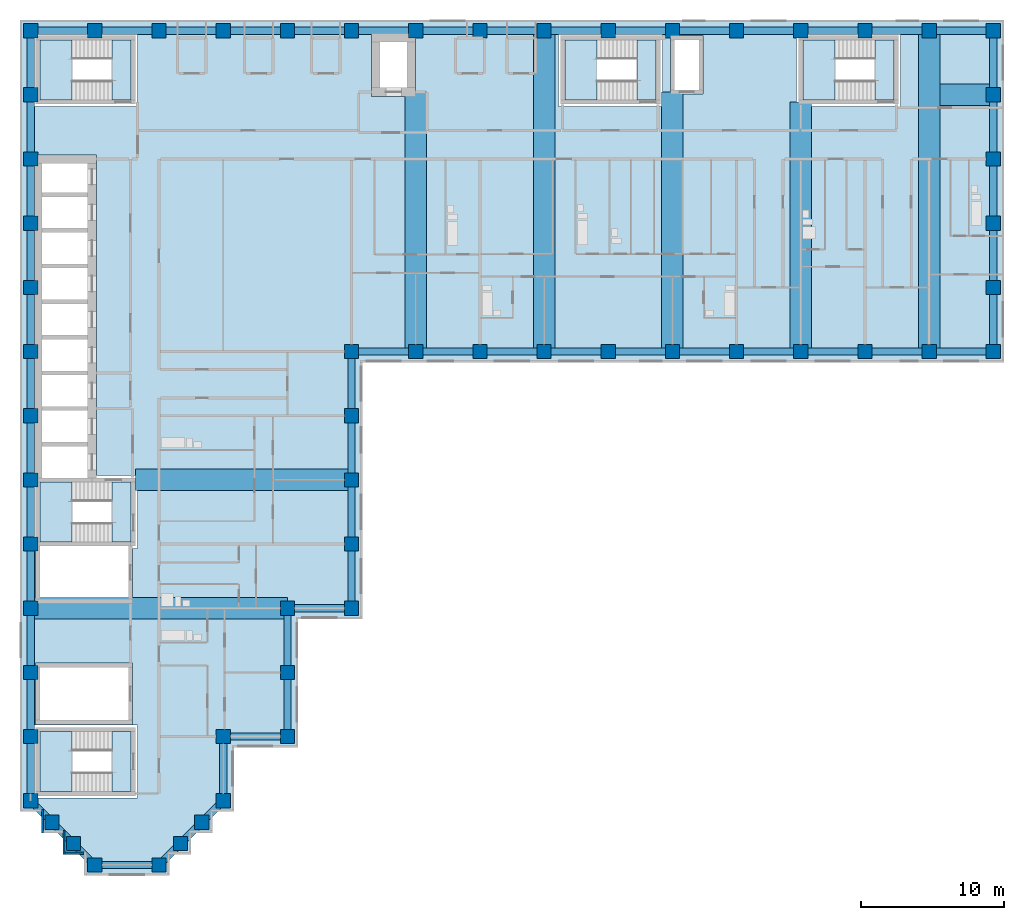
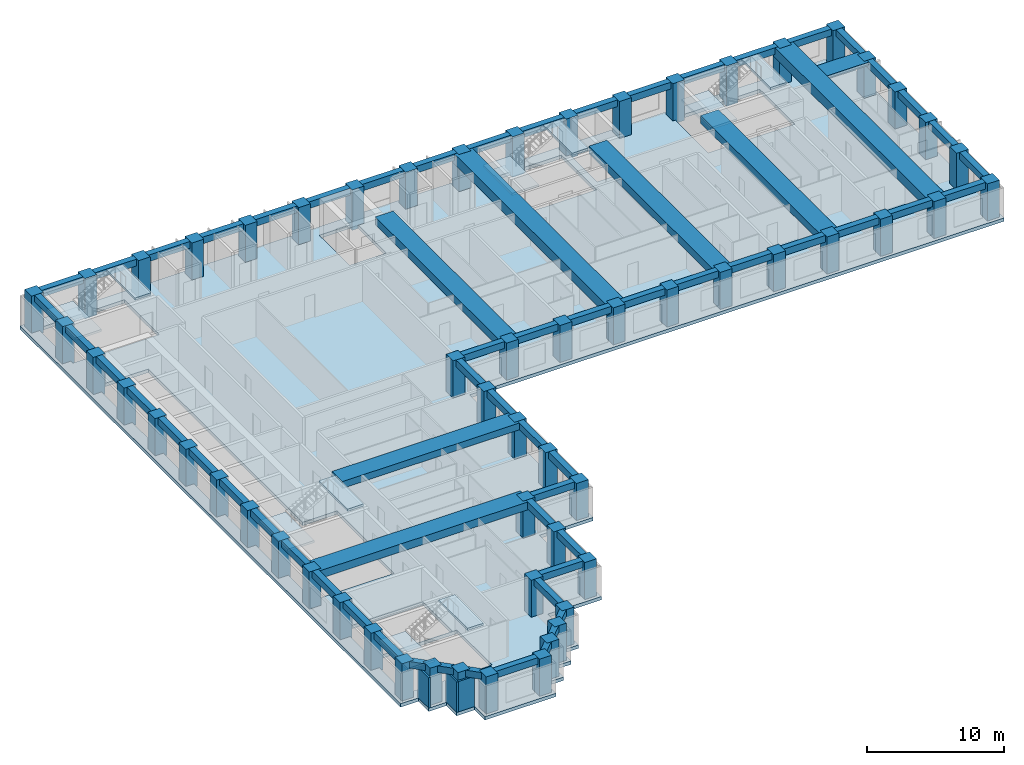
# One storey, part 1 of 12: 66 beams, 58 columns, 11 slabs, 3 walls, 5 elements without a shape of their own.
"""IFC4 building model written with IfcOpenShell, lengths in metres."""

from ifc_helpers import new_model, si_unit, direction, frame, frame_2d, origin, origin_2d, place, context, subcontext, project, spatial, polyline, rectangle, outline, extrude, material, layer, layer_set, material_profile, profile_set, type_object, element, aggregate, save


model = new_model("IFC4")

# Units and contexts
model_context = context("Model", 3, precision=1e-05, world=origin(), true_north=direction((0.0, 1.0)))
body_context = subcontext(model_context, "Body", "Model", "MODEL_VIEW")
ifc_project = project(units=[si_unit("LENGTHUNIT", "METRE"), si_unit("AREAUNIT", "SQUARE_METRE"), si_unit("VOLUMEUNIT", "CUBIC_METRE"), si_unit("PLANEANGLEUNIT", "RADIAN"), si_unit("MASSUNIT", "GRAM", prefix="KILO")], contexts=[model_context])

# Site, building, storey
site_placement = place(None, origin())
site = spatial("IfcSite", under=ifc_project, at=site_placement, CompositionType="ELEMENT")
building_placement = place(site_placement, origin())
building = spatial("IfcBuilding", under=site, at=building_placement, Name="Firuza Court", CompositionType="ELEMENT")
storey_placement = place(building_placement, frame((0.0, 0.0, 126.800048828125)))
storey = spatial("IfcBuildingStorey", under=building, at=storey_placement, Name="L31", CompositionType="ELEMENT", Elevation=126.800048828125)

# Columns
ifc_material_1 = material(Name="Concrete C60/75", Category="concrete")
ifc_material_profile_1 = material_profile(ifc_material_1, rectangle(XDim=1.0, YDim=1.0, at=origin_2d()), Name="RC 1000x1000")
ifc_profile_set_1 = profile_set([ifc_material_profile_1], Name="Concrete C60/75")
column_type = type_object("IfcColumnType", Name="Tube column RC 1000x1000 C60/75", PredefinedType="COLUMN", material=ifc_profile_set_1)
for number, where, z_axis, x_axis, name in (
    (1, (4.5, 0.0, -0.300048828125), (0.0, 0.0, 1.0), (1.0, 0.0, 0.0), "Column C-2D L31"),
    (2, (9.0, 0.0, -0.300048828125), (0.0, 0.0, 1.0), (1.0, 0.0, 0.0), "Column C-3D L31"),
    (3, (3.0, 1.5, -0.300048828125), (0.0, 0.0, 1.0), (1.0, 0.0, 0.0), "Column C-SA1 L31"),
    (4, (10.5, 1.5, -0.300048828125), (0.0, 0.0, 1.0), (1.0, 0.0, 0.0), "Column C-SA2 L31"),
    (5, (1.5, 3.0, -0.300048828125), (0.0, 0.0, 1.0), (1.0, 0.0, 0.0), "Column C-SA3 L31"),
    (6, (12.0, 3.0, -0.300048828125), (0.0, 0.0, 1.0), (1.0, 0.0, 0.0), "Column C-SA4 L31"),
    (7, (0.0, 4.5, -0.300048828125), (0.0, 0.0, 1.0), (1.0, 0.0, 0.0), "Column C-1E L31"),
    (8, (13.5, 4.5, -0.300048828125), (0.0, 0.0, 1.0), (1.0, 0.0, 0.0), "Column C-4E L31"),
    (9, (0.0, 9.0, -0.300048828125), (0.0, 0.0, 1.0), (1.0, 0.0, 0.0), "Column C-1F L31"),
    (10, (13.5, 9.0, -0.300048828125), (0.0, 0.0, 1.0), (1.0, 0.0, 0.0), "Column C-4F L31"),
    (11, (18.0, 9.0, -0.300048828125), (0.0, 0.0, 1.0), (1.0, 0.0, 0.0), "Column C-5F L31"),
    (12, (0.0, 13.5, -0.300048828125), (0.0, 0.0, 1.0), (1.0, 0.0, 0.0), "Column C-1G L31"),
    (13, (18.0, 13.5, -0.300048828125), (0.0, 0.0, 1.0), (1.0, 0.0, 0.0), "Column C-5G L31"),
    (14, (0.0, 18.0, -0.300048828125), (0.0, 0.0, 1.0), (1.0, 0.0, 0.0), "Column C-1H L31"),
    (15, (18.0, 18.0, -0.300048828125), (0.0, 0.0, 1.0), (1.0, 0.0, 0.0), "Column C-5H L31"),
    (16, (22.5, 18.0, -0.300048828125), (0.0, 0.0, 1.0), (1.0, 0.0, 0.0), "Column C-6H L31"),
    (17, (0.0, 22.5, -0.300048828125), (0.0, 0.0, 1.0), (1.0, 0.0, 0.0), "Column C-1J L31"),
    (18, (22.5, 22.5, -0.300048828125), (0.0, 0.0, 1.0), (1.0, 0.0, 0.0), "Column C-6J L31"),
    (19, (0.0, 27.0, -0.300048828125), (0.0, 0.0, 1.0), (1.0, 0.0, 0.0), "Column C-1K L31"),
    (20, (22.5, 27.0, -0.300048828125), (0.0, 0.0, 1.0), (1.0, 0.0, 0.0), "Column C-6K L31"),
    (21, (0.0, 31.5, -0.300048828125), (0.0, 0.0, 1.0), (1.0, 0.0, 0.0), "Column C-1L L31"),
    (22, (22.5, 31.5, -0.300048828125), (0.0, 0.0, 1.0), (1.0, 0.0, 0.0), "Column C-6L L31"),
    (23, (0.0, 36.0, -0.300048828125), (0.0, 0.0, 1.0), (1.0, 0.0, 0.0), "Column C-1M L31"),
    (24, (22.5, 36.0, -0.300048828125), (0.0, 0.0, 1.0), (1.0, 0.0, 0.0), "Column C-6M L31"),
    (25, (27.0, 36.0, -0.300048828125), (0.0, 0.0, 1.0), (1.0, 0.0, 0.0), "Column C-7M L31"),
    (26, (31.5, 36.0, -0.300048828125), (0.0, 0.0, 1.0), (1.0, 0.0, 0.0), "Column C-8M L31"),
    (27, (36.0, 36.0, -0.300048828125), (0.0, 0.0, 1.0), (1.0, 0.0, 0.0), "Column C-9M L31"),
    (28, (40.5, 36.0, -0.300048828125), (0.0, 0.0, 1.0), (1.0, 0.0, 0.0), "Column C-10M L31"),
    (29, (45.0, 36.0, -0.300048828125), (0.0, 0.0, 1.0), (1.0, 0.0, 0.0), "Column C-11M L31"),
    (30, (49.5, 36.0, -0.300048828125), (0.0, 0.0, 1.0), (1.0, 0.0, 0.0), "Column C-12M L31"),
    (31, (54.0, 36.0, -0.300048828125), (0.0, 0.0, 1.0), (1.0, 0.0, 0.0), "Column C-13M L31"),
    (32, (58.5, 36.0, -0.300048828125), (0.0, 0.0, 1.0), (1.0, 0.0, 0.0), "Column C-14M L31"),
    (33, (63.0, 36.0, -0.300048828125), (0.0, 0.0, 1.0), (1.0, 0.0, 0.0), "Column C-15M L31"),
    (34, (67.5, 36.0, -0.300048828125), (0.0, 0.0, 1.0), (1.0, 0.0, 0.0), "Column C-16M L31"),
    (35, (0.0, 40.5, -0.300048828125), (0.0, 0.0, 1.0), (1.0, 0.0, 0.0), "Column C-1N L31"),
    (36, (67.5, 40.5, -0.300048828125), (0.0, 0.0, 1.0), (1.0, 0.0, 0.0), "Column C-16N L31"),
    (37, (0.0, 45.0, -0.300048828125), (0.0, 0.0, 1.0), (1.0, 0.0, 0.0), "Column C-1P L31"),
    (38, (67.5, 45.0, -0.300048828125), (0.0, 0.0, 1.0), (1.0, 0.0, 0.0), "Column C-16P L31"),
    (39, (0.0, 49.5, -0.300048828125), (0.0, 0.0, 1.0), (1.0, 0.0, 0.0), "Column C-1Q L31"),
    (40, (67.5, 49.5, -0.300048828125), (0.0, 0.0, 1.0), (1.0, 0.0, 0.0), "Column C-16Q L31"),
    (41, (0.0, 54.0, -0.300048828125), (0.0, 0.0, 1.0), (1.0, 0.0, 0.0), "Column C-1R L31"),
    (42, (67.5, 54.0, -0.300048828125), (0.0, 0.0, 1.0), (1.0, 0.0, 0.0), "Column C-16R L31"),
    (43, (0.0, 58.5, -0.300048828125), (0.0, 0.0, 1.0), (1.0, 0.0, 0.0), "Column C-1S L31"),
    (44, (4.5, 58.5, -0.300048828125), (0.0, 0.0, 1.0), (1.0, 0.0, 0.0), "Column C-2S L31"),
    (45, (9.0, 58.5, -0.300048828125), (0.0, 0.0, 1.0), (1.0, 0.0, 0.0), "Column C-3S L31"),
    (46, (13.5, 58.5, -0.300048828125), (0.0, 0.0, 1.0), (1.0, 0.0, 0.0), "Column C-4S L31"),
    (47, (18.0, 58.5, -0.300048828125), (0.0, 0.0, 1.0), (1.0, 0.0, 0.0), "Column C-5S L31"),
    (48, (22.5, 58.5, -0.300048828125), (0.0, 0.0, 1.0), (1.0, 0.0, 0.0), "Column C-6S L31"),
    (49, (27.0, 58.5, -0.300048828125), (0.0, 0.0, 1.0), (1.0, 0.0, 0.0), "Column C-7S L31"),
    (50, (31.5, 58.5, -0.300048828125), (0.0, 0.0, 1.0), (1.0, 0.0, 0.0), "Column C-8S L31"),
    (51, (36.0, 58.5, -0.300048828125), (0.0, 0.0, 1.0), (1.0, 0.0, 0.0), "Column C-9S L31"),
    (52, (40.5, 58.5, -0.300048828125), (0.0, 0.0, 1.0), (1.0, 0.0, 0.0), "Column C-10S L31"),
    (53, (45.0, 58.5, -0.300048828125), (0.0, 0.0, 1.0), (1.0, 0.0, 0.0), "Column C-11S L31"),
    (54, (49.5, 58.5, -0.300048828125), (0.0, 0.0, 1.0), (1.0, 0.0, 0.0), "Column C-12S L31"),
    (55, (54.0, 58.5, -0.300048828125), (0.0, 0.0, 1.0), (1.0, 0.0, 0.0), "Column C-13S L31"),
    (56, (58.5, 58.5, -0.300048828125), (0.0, 0.0, 1.0), (1.0, 0.0, 0.0), "Column C-14S L31"),
    (57, (63.0, 58.5, -0.300048828125), (0.0, 0.0, 1.0), (1.0, 0.0, 0.0), "Column C-15S L31"),
    (58, (67.5, 58.5, -0.300048828125), (0.0, 0.0, 1.0), (1.0, 0.0, 0.0), "Column C-16S L31"),
):
    element("IfcColumn", number, at=place(storey_placement, frame(where, z_axis=z_axis, x_axis=x_axis)), inside=storey, type_object=column_type, Name=name, PredefinedType="COLUMN", context=body_context, shape_type="SweptSolid", body=[
        extrude(rectangle(XDim=1.0, YDim=1.0, at=origin_2d()), origin(), (0.0, 0.0, 1.0), 3.60009765625),
    ])

# Beams
ifc_material_2 = material(Name="Concrete C40/50", Category="concrete")
ifc_material_profile_2 = material_profile(ifc_material_2, rectangle(XDim=1.5, YDim=0.300048828125, at=origin_2d()), Name="RC 1500x300")
ifc_profile_set_2 = profile_set([ifc_material_profile_2], Name="Concrete C40/50")
beam_type_1 = type_object("IfcBeamType", Name="Band beam RC 1500x300 C40/50", PredefinedType="BEAM", material=ifc_profile_set_2)
beam_1_placement = place(storey_placement, frame((67.5, 54.0, 3.14990234375), z_axis=(-1.0, 0.0, 0.0), x_axis=(0.0, -1.0, 0.0)))
element("IfcBeam", 59, at=beam_1_placement, inside=storey, type_object=beam_type_1, Name="Band beam FB6 level L32", PredefinedType="BEAM", context=body_context, shape_type="SweptSolid", body=[
    extrude(rectangle(XDim=1.5, YDim=0.300048828125, at=origin_2d()), origin(), (0.0, 0.0, 1.0), 3.75),
])
ifc_material_3 = material(Name="Concrete C40/50", Category="concrete")
ifc_material_profile_3 = material_profile(ifc_material_3, rectangle(XDim=1.5, YDim=0.60009765625, at=origin_2d()), Name="RC 1500x600")
ifc_profile_set_3 = profile_set([ifc_material_profile_3], Name="Concrete C40/50")
beam_type_2 = type_object("IfcBeamType", Name="Band beam RC 1500x600 C40/50", PredefinedType="BEAM", material=ifc_profile_set_3)
beam_2_placement = place(storey_placement, frame((22.5, 27.0, 3.0), z_axis=(-1.0, 0.0, 0.0), x_axis=(0.0, -1.0, 0.0)))
element("IfcBeam", 60, at=beam_2_placement, inside=storey, type_object=beam_type_2, Name="Band beam FB3 level L32", PredefinedType="BEAM", context=body_context, shape_type="SweptSolid", body=[
    extrude(rectangle(XDim=1.5, YDim=0.60009765625, at=origin_2d()), origin(), (0.0, 0.0, 1.0), 15.14990234375),
])
ifc_material_4 = material(Name="Concrete C40/50", Category="concrete")
ifc_material_profile_4 = material_profile(ifc_material_4, rectangle(XDim=1.5, YDim=0.699951171875, at=origin_2d()), Name="RC 1500x700")
ifc_profile_set_4 = profile_set([ifc_material_profile_4], Name="Concrete C40/50")
beam_type_3 = type_object("IfcBeamType", Name="Band beam RC 1500x700 C40/50", PredefinedType="BEAM", material=ifc_profile_set_4)
beam_3_placement = place(storey_placement, frame((0.0, 18.0, 2.949951171875), z_axis=(1.0, 0.0, 0.0), x_axis=(0.0, 1.0, 0.0)))
element("IfcBeam", 61, at=beam_3_placement, inside=storey, type_object=beam_type_3, Name="Band beam FB1 level L32", PredefinedType="BEAM", context=body_context, shape_type="SweptSolid", body=[
    extrude(rectangle(XDim=1.5, YDim=0.699951171875, at=origin_2d()), origin(), (0.0, 0.0, 1.0), 18.0),
])
for number, where, z_axis, x_axis, name in (
    (62, (27.0, 36.0, 2.949951171875), (0.0, 1.0, 0.0), (-1.0, 0.0, 0.0), "Band beam FB1 level L32"),
    (63, (45.0, 36.0, 2.949951171875), (0.0, 1.0, 0.0), (-1.0, 0.0, 0.0), "Band beam FB1 level L32"),
):
    element("IfcBeam", number, at=place(storey_placement, frame(where, z_axis=z_axis, x_axis=x_axis)), inside=storey, type_object=beam_type_3, Name=name, PredefinedType="BEAM", context=body_context, shape_type="SweptSolid", body=[
        extrude(rectangle(XDim=1.5, YDim=0.699951171875, at=origin_2d()), origin(), (0.0, 0.0, 1.0), 18.199951171875),
    ])
beam_4_placement = place(storey_placement, frame((54.0, 36.0, 2.949951171875), z_axis=(0.0, 1.0, 0.0), x_axis=(-1.0, 0.0, 0.0)))
element("IfcBeam", 64, at=beam_4_placement, inside=storey, type_object=beam_type_3, Name="Band beam FB1 level L32", PredefinedType="BEAM", context=body_context, shape_type="SweptSolid", body=[
    extrude(rectangle(XDim=1.5, YDim=0.699951171875, at=origin_2d()), origin(), (0.0, 0.0, 1.0), 17.5),
])
ifc_material_5 = material(Name="Concrete C40/50", Category="concrete")
ifc_material_profile_5 = material_profile(ifc_material_5, rectangle(XDim=1.5, YDim=0.89990234375, at=origin_2d()), Name="RC 1500x900")
ifc_profile_set_5 = profile_set([ifc_material_profile_5], Name="Concrete C40/50")
beam_type_4 = type_object("IfcBeamType", Name="Band beam RC 1500x900 C40/50", PredefinedType="BEAM", material=ifc_profile_set_5)
for number, where, z_axis, x_axis, name in (
    (65, (36.0, 36.0, 2.849853515625), (0.0, 1.0, 0.0), (-1.0, 0.0, 0.0), "Band beam FB2 level L32"),
    (66, (63.0, 36.0, 2.849853515625), (0.0, 1.0, 0.0), (-1.0, 0.0, 0.0), "Band beam FB2 level L32"),
):
    element("IfcBeam", number, at=place(storey_placement, frame(where, z_axis=z_axis, x_axis=x_axis)), inside=storey, type_object=beam_type_4, Name=name, PredefinedType="BEAM", context=body_context, shape_type="SweptSolid", body=[
        extrude(rectangle(XDim=1.5, YDim=0.89990234375, at=origin_2d()), origin(), (0.0, 0.0, 1.0), 22.5),
    ])
ifc_material_6 = material(Name="Concrete C40/50", Category="concrete")
ifc_material_profile_6 = material_profile(ifc_material_6, rectangle(XDim=0.5, YDim=0.60009765625, at=origin_2d()), Name="RC 500x600")
ifc_profile_set_6 = profile_set([ifc_material_profile_6], Name="Concrete C40/50")
beam_type_5 = type_object("IfcBeamType", Name="Spandrel beam RC 500x600 C40/50", PredefinedType="BEAM", material=ifc_profile_set_6)
beam_5_placement = place(storey_placement, frame((0.0, 4.5, 3.0), z_axis=(0.707106781187, -0.707106781187, 0.0), x_axis=(0.707106781187, 0.707106781187, 0.0)))
element("IfcBeam", 67, at=beam_5_placement, inside=storey, type_object=beam_type_5, Name="Spandrel beam SP13 level L32", PredefinedType="BEAM", context=body_context, shape_type="SweptSolid", body=[
    extrude(rectangle(XDim=0.5, YDim=0.60009765625, at=origin_2d()), origin(), (0.0, 0.0, 1.0), 2.121337890625),
])
for number, where, z_axis, x_axis, name in (
    (68, (0.0, 9.0, 3.0), (0.0, -1.0, 0.0), (1.0, 0.0, 0.0), "Spandrel beam SP13 level L32"),
    (69, (0.0, 13.5, 3.0), (0.0, -1.0, 0.0), (1.0, 0.0, 0.0), "Spandrel beam SP13 level L32"),
    (70, (0.0, 18.0, 3.0), (0.0, -1.0, 0.0), (1.0, 0.0, 0.0), "Spandrel beam SP13 level L32"),
    (71, (0.0, 22.5, 3.0), (0.0, -1.0, 0.0), (1.0, 0.0, 0.0), "Spandrel beam SP13 level L32"),
    (72, (0.0, 27.0, 3.0), (0.0, -1.0, 0.0), (1.0, 0.0, 0.0), "Spandrel beam SP13 level L32"),
    (73, (0.0, 31.5, 3.0), (0.0, -1.0, 0.0), (1.0, 0.0, 0.0), "Spandrel beam SP13 level L32"),
    (74, (0.0, 36.0, 3.0), (0.0, -1.0, 0.0), (1.0, 0.0, 0.0), "Spandrel beam SP13 level L32"),
    (75, (0.0, 40.5, 3.0), (0.0, -1.0, 0.0), (1.0, 0.0, 0.0), "Spandrel beam SP13 level L32"),
    (76, (0.0, 45.0, 3.0), (0.0, -1.0, 0.0), (1.0, 0.0, 0.0), "Spandrel beam SP13 level L32"),
    (77, (0.0, 49.5, 3.0), (0.0, -1.0, 0.0), (1.0, 0.0, 0.0), "Spandrel beam SP13 level L32"),
    (78, (0.0, 54.0, 3.0), (0.0, -1.0, 0.0), (1.0, 0.0, 0.0), "Spandrel beam SP13 level L32"),
    (79, (0.0, 58.5, 3.0), (0.0, -1.0, 0.0), (1.0, 0.0, 0.0), "Spandrel beam SP13 level L32"),
):
    element("IfcBeam", number, at=place(storey_placement, frame(where, z_axis=z_axis, x_axis=x_axis)), inside=storey, type_object=beam_type_5, Name=name, PredefinedType="BEAM", context=body_context, shape_type="SweptSolid", body=[
        extrude(rectangle(XDim=0.5, YDim=0.60009765625, at=origin_2d()), origin(), (0.0, 0.0, 1.0), 4.5),
    ])
for number, where, z_axis, x_axis, name in (
    (80, (1.5, 3.0, 3.0), (0.707106781187, -0.707106781187, 0.0), (0.707106781187, 0.707106781187, 0.0), "Spandrel beam SP13 level L32"),
    (81, (3.0, 1.5, 3.0), (0.707106781187, -0.707106781187, 0.0), (0.707106781187, 0.707106781187, 0.0), "Spandrel beam SP13 level L32"),
):
    element("IfcBeam", number, at=place(storey_placement, frame(where, z_axis=z_axis, x_axis=x_axis)), inside=storey, type_object=beam_type_5, Name=name, PredefinedType="BEAM", context=body_context, shape_type="SweptSolid", body=[
        extrude(rectangle(XDim=0.5, YDim=0.60009765625, at=origin_2d()), origin(), (0.0, 0.0, 1.0), 2.121337890625),
    ])
for number, where, z_axis, x_axis, name in (
    (82, (4.5, 0.0, 3.0), (1.0, 0.0, 0.0), (0.0, 1.0, 0.0), "Spandrel beam SP13 level L32"),
    (83, (4.5, 58.5, 3.0), (-1.0, 0.0, 0.0), (0.0, -1.0, 0.0), "Spandrel beam SP13 level L32"),
):
    element("IfcBeam", number, at=place(storey_placement, frame(where, z_axis=z_axis, x_axis=x_axis)), inside=storey, type_object=beam_type_5, Name=name, PredefinedType="BEAM", context=body_context, shape_type="SweptSolid", body=[
        extrude(rectangle(XDim=0.5, YDim=0.60009765625, at=origin_2d()), origin(), (0.0, 0.0, 1.0), 4.5),
    ])
beam_6_placement = place(storey_placement, frame((9.0, 0.0, 3.0), z_axis=(0.707106781187, 0.707106781187, 0.0), x_axis=(-0.707106781187, 0.707106781187, 0.0)))
element("IfcBeam", 84, at=beam_6_placement, inside=storey, type_object=beam_type_5, Name="Spandrel beam SP13 level L32", PredefinedType="BEAM", context=body_context, shape_type="SweptSolid", body=[
    extrude(rectangle(XDim=0.5, YDim=0.60009765625, at=origin_2d()), origin(), (0.0, 0.0, 1.0), 2.121337890625),
])
beam_7_placement = place(storey_placement, frame((9.0, 58.5, 3.0), z_axis=(-1.0, 0.0, 0.0), x_axis=(0.0, -1.0, 0.0)))
element("IfcBeam", 85, at=beam_7_placement, inside=storey, type_object=beam_type_5, Name="Spandrel beam SP13 level L32", PredefinedType="BEAM", context=body_context, shape_type="SweptSolid", body=[
    extrude(rectangle(XDim=0.5, YDim=0.60009765625, at=origin_2d()), origin(), (0.0, 0.0, 1.0), 4.5),
])
for number, where, z_axis, x_axis, name in (
    (86, (10.5, 1.5, 3.0), (0.707106781187, 0.707106781187, 0.0), (-0.707106781187, 0.707106781187, 0.0), "Spandrel beam SP13 level L32"),
    (87, (12.0, 3.0, 3.0), (0.707106781187, 0.707106781187, 0.0), (-0.707106781187, 0.707106781187, 0.0), "Spandrel beam SP13 level L32"),
):
    element("IfcBeam", number, at=place(storey_placement, frame(where, z_axis=z_axis, x_axis=x_axis)), inside=storey, type_object=beam_type_5, Name=name, PredefinedType="BEAM", context=body_context, shape_type="SweptSolid", body=[
        extrude(rectangle(XDim=0.5, YDim=0.60009765625, at=origin_2d()), origin(), (0.0, 0.0, 1.0), 2.121337890625),
    ])
for number, where, z_axis, x_axis, name in (
    (88, (13.5, 4.5, 3.0), (0.0, 1.0, 0.0), (-1.0, 0.0, 0.0), "Spandrel beam SP13 level L32"),
    (89, (13.5, 9.0, 3.0), (1.0, 0.0, 0.0), (0.0, 1.0, 0.0), "Spandrel beam SP13 level L32"),
    (90, (13.5, 58.5, 3.0), (-1.0, 0.0, 0.0), (0.0, -1.0, 0.0), "Spandrel beam SP13 level L32"),
    (91, (18.0, 9.0, 3.0), (0.0, 1.0, 0.0), (-1.0, 0.0, 0.0), "Spandrel beam SP13 level L32"),
    (92, (18.0, 13.5, 3.0), (0.0, 1.0, 0.0), (-1.0, 0.0, 0.0), "Spandrel beam SP13 level L32"),
    (93, (18.0, 18.0, 3.0), (1.0, 0.0, 0.0), (0.0, 1.0, 0.0), "Spandrel beam SP13 level L32"),
    (94, (18.0, 58.5, 3.0), (-1.0, 0.0, 0.0), (0.0, -1.0, 0.0), "Spandrel beam SP13 level L32"),
    (95, (22.5, 18.0, 3.0), (0.0, 1.0, 0.0), (-1.0, 0.0, 0.0), "Spandrel beam SP13 level L32"),
    (96, (22.5, 22.5, 3.0), (0.0, 1.0, 0.0), (-1.0, 0.0, 0.0), "Spandrel beam SP13 level L32"),
    (97, (22.5, 27.0, 3.0), (0.0, 1.0, 0.0), (-1.0, 0.0, 0.0), "Spandrel beam SP13 level L32"),
    (98, (22.5, 31.5, 3.0), (0.0, 1.0, 0.0), (-1.0, 0.0, 0.0), "Spandrel beam SP13 level L32"),
    (99, (22.5, 36.0, 3.0), (1.0, 0.0, 0.0), (0.0, 1.0, 0.0), "Spandrel beam SP13 level L32"),
    (100, (22.5, 58.5, 3.0), (-1.0, 0.0, 0.0), (0.0, -1.0, 0.0), "Spandrel beam SP13 level L32"),
    (101, (27.0, 36.0, 3.0), (1.0, 0.0, 0.0), (0.0, 1.0, 0.0), "Spandrel beam SP13 level L32"),
    (102, (27.0, 58.5, 3.0), (-1.0, 0.0, 0.0), (0.0, -1.0, 0.0), "Spandrel beam SP13 level L32"),
    (103, (31.5, 36.0, 3.0), (1.0, 0.0, 0.0), (0.0, 1.0, 0.0), "Spandrel beam SP13 level L32"),
    (104, (31.5, 58.5, 3.0), (-1.0, 0.0, 0.0), (0.0, -1.0, 0.0), "Spandrel beam SP13 level L32"),
    (105, (36.0, 36.0, 3.0), (1.0, 0.0, 0.0), (0.0, 1.0, 0.0), "Spandrel beam SP13 level L32"),
    (106, (36.0, 58.5, 3.0), (-1.0, 0.0, 0.0), (0.0, -1.0, 0.0), "Spandrel beam SP13 level L32"),
    (107, (40.5, 36.0, 3.0), (1.0, 0.0, 0.0), (0.0, 1.0, 0.0), "Spandrel beam SP13 level L32"),
    (108, (40.5, 58.5, 3.0), (-1.0, 0.0, 0.0), (0.0, -1.0, 0.0), "Spandrel beam SP13 level L32"),
    (109, (45.0, 36.0, 3.0), (1.0, 0.0, 0.0), (0.0, 1.0, 0.0), "Spandrel beam SP13 level L32"),
    (110, (45.0, 58.5, 3.0), (-1.0, 0.0, 0.0), (0.0, -1.0, 0.0), "Spandrel beam SP13 level L32"),
    (111, (49.5, 36.0, 3.0), (1.0, 0.0, 0.0), (0.0, 1.0, 0.0), "Spandrel beam SP13 level L32"),
    (112, (49.5, 58.5, 3.0), (-1.0, 0.0, 0.0), (0.0, -1.0, 0.0), "Spandrel beam SP13 level L32"),
    (113, (54.0, 36.0, 3.0), (1.0, 0.0, 0.0), (0.0, 1.0, 0.0), "Spandrel beam SP13 level L32"),
    (114, (54.0, 58.5, 3.0), (-1.0, 0.0, 0.0), (0.0, -1.0, 0.0), "Spandrel beam SP13 level L32"),
    (115, (58.5, 36.0, 3.0), (1.0, 0.0, 0.0), (0.0, 1.0, 0.0), "Spandrel beam SP13 level L32"),
    (116, (58.5, 58.5, 3.0), (-1.0, 0.0, 0.0), (0.0, -1.0, 0.0), "Spandrel beam SP13 level L32"),
    (117, (63.0, 36.0, 3.0), (1.0, 0.0, 0.0), (0.0, 1.0, 0.0), "Spandrel beam SP13 level L32"),
    (118, (63.0, 58.5, 3.0), (-1.0, 0.0, 0.0), (0.0, -1.0, 0.0), "Spandrel beam SP13 level L32"),
    (119, (67.5, 36.0, 3.0), (0.0, 1.0, 0.0), (-1.0, 0.0, 0.0), "Spandrel beam SP13 level L32"),
    (120, (67.5, 40.5, 3.0), (0.0, 1.0, 0.0), (-1.0, 0.0, 0.0), "Spandrel beam SP13 level L32"),
    (121, (67.5, 45.0, 3.0), (0.0, 1.0, 0.0), (-1.0, 0.0, 0.0), "Spandrel beam SP13 level L32"),
    (122, (67.5, 49.5, 3.0), (0.0, 1.0, 0.0), (-1.0, 0.0, 0.0), "Spandrel beam SP13 level L32"),
    (123, (67.5, 54.0, 3.0), (0.0, 1.0, 0.0), (-1.0, 0.0, 0.0), "Spandrel beam SP13 level L32"),
    (124, (67.5, 58.5, 3.0), (-1.0, 0.0, 0.0), (0.0, -1.0, 0.0), "Spandrel beam SP13 level L32"),
):
    element("IfcBeam", number, at=place(storey_placement, frame(where, z_axis=z_axis, x_axis=x_axis)), inside=storey, type_object=beam_type_5, Name=name, PredefinedType="BEAM", context=body_context, shape_type="SweptSolid", body=[
        extrude(rectangle(XDim=0.5, YDim=0.60009765625, at=origin_2d()), origin(), (0.0, 0.0, 1.0), 4.5),
    ])

# Slab
ifc_material_7 = material(Name="Concrete C40/50", Category="concrete")
ifc_layer_1 = layer(ifc_material_7, 0.300048828125)
ifc_layer_set_1 = layer_set([ifc_layer_1], Name="Concrete C40/50")
slab_type_1 = type_object("IfcSlabType", Name="Floor slab 300 C40/50", PredefinedType="FLOOR", material=ifc_layer_set_1)
slab_1_placement = place(storey_placement, frame((0.0, 0.0, -0.300048828125)))
element("IfcSlab", 125, at=slab_1_placement, inside=storey, type_object=slab_type_1, Name="Floor slab L31", PredefinedType="FLOOR", context=body_context, shape_type="SweptSolid", body=[
    extrude(outline(polyline([(3.75, -0.75), (3.75, 0.75), (2.25, 0.75), (2.25, 2.25), (0.75, 2.25), (0.75, 3.75), (-0.75, 3.75), (-0.75, 59.25), (68.25, 59.25), (68.25, 35.25), (23.25, 35.25), (23.25, 17.25), (18.75, 17.25), (18.75, 8.25), (14.25, 8.25), (14.25, 3.75), (12.75, 3.75), (12.75, 2.25), (11.25, 2.25), (11.25, 0.75), (9.75, 0.75), (9.75, -0.75), (3.75, -0.75)]), holes=[polyline([(0.199951171875, 29.800048828125), (0.199951171875, 29.199951171875), (0.199951171875, 27.300048828125), (0.199951171875, 26.699951171875), (0.199951171875, 22.199951171875), (0.35009765625, 22.199951171875), (0.35009765625, 18.35009765625), (7.14990234375, 18.35009765625), (7.14990234375, 22.199951171875), (7.5, 22.199951171875), (7.5, 27.300048828125), (4.60009765625, 27.300048828125), (4.60009765625, 29.199951171875), (4.60009765625, 29.800048828125), (4.60009765625, 31.699951171875), (4.60009765625, 32.300048828125), (4.60009765625, 34.199951171875), (4.60009765625, 34.800048828125), (4.60009765625, 36.699951171875), (4.60009765625, 37.300048828125), (4.60009765625, 39.199951171875), (4.60009765625, 39.800048828125), (4.60009765625, 41.699951171875), (4.60009765625, 42.300048828125), (4.60009765625, 44.199951171875), (4.60009765625, 44.800048828125), (4.60009765625, 46.699951171875), (4.60009765625, 47.300048828125), (4.60009765625, 49.800048828125), (0.199951171875, 49.800048828125), (0.199951171875, 47.300048828125), (0.199951171875, 46.699951171875), (0.199951171875, 44.800048828125), (0.199951171875, 44.199951171875), (0.199951171875, 42.300048828125), (0.199951171875, 41.699951171875), (0.199951171875, 39.800048828125), (0.199951171875, 39.199951171875), (0.199951171875, 37.300048828125), (0.199951171875, 36.699951171875), (0.199951171875, 34.800048828125), (0.199951171875, 34.199951171875), (0.199951171875, 32.300048828125), (0.199951171875, 31.699951171875), (0.199951171875, 29.800048828125)]), polyline([(7.5, 9.800048828125), (0.199951171875, 9.800048828125), (0.199951171875, 4.699951171875), (7.5, 4.699951171875), (7.5, 9.800048828125)]), polyline([(7.14990234375, 14.14990234375), (0.35009765625, 14.14990234375), (0.35009765625, 9.85009765625), (7.14990234375, 9.85009765625), (7.14990234375, 14.14990234375)]), polyline([(7.5, 58.300048828125), (0.199951171875, 58.300048828125), (0.199951171875, 53.199951171875), (7.5, 53.199951171875), (7.5, 58.300048828125)]), polyline([(44.300048828125, 58.300048828125), (37.0, 58.300048828125), (37.0, 53.199951171875), (44.300048828125, 53.199951171875), (44.300048828125, 58.300048828125)]), polyline([(61.0, 58.300048828125), (53.699951171875, 58.300048828125), (53.699951171875, 53.199951171875), (61.0, 53.199951171875), (61.0, 58.300048828125)]), polyline([(27.0, 53.89990234375), (27.0, 58.300048828125), (23.89990234375, 58.300048828125), (23.89990234375, 53.89990234375), (27.0, 53.89990234375)]), polyline([(47.14990234375, 54.050048828125), (47.14990234375, 58.14990234375), (44.85009765625, 58.14990234375), (44.85009765625, 54.050048828125), (47.14990234375, 54.050048828125)])]), origin(), (0.0, 0.0, 1.0), 0.300048828125),
])

# Stair, slabs
ifc_material_8 = material(Name="Concrete C40/50 precast", Category="concrete")
stair_type = type_object("IfcStairType", Name="Stair 1350 x 3600 2 flights", PredefinedType="HALF_TURN_STAIR", material=ifc_material_8)
stair_1_placement = place(storey_placement, origin())
stair_1 = element("IfcStair", 126, at=stair_1_placement, inside=storey, type_object=stair_type, Name="Stair 1 L31", PredefinedType="HALF_TURN_STAIR")
ifc_material_9 = material(Name="Concrete C40/50 precast", Category="concrete")
ifc_layer_2 = layer(ifc_material_9, 0.199951171875)
ifc_layer_set_2 = layer_set([ifc_layer_2], Name="Concrete C40/50 precast")
slab_type_2 = type_object("IfcSlabType", Name="Stair landing 200", PredefinedType="LANDING", material=ifc_layer_set_2)
slab_2_placement = place(storey_placement, frame((0.0, 0.0, 1.599853515625)))
slab_2 = element("IfcSlab", 127, at=slab_2_placement, type_object=slab_type_2, Name="S1 landing 1", PredefinedType="LANDING", context=body_context, shape_type="SweptSolid", body=[
    extrude(outline(polyline([(39.699951171875, 53.64990234375), (39.699951171875, 57.85009765625), (37.449951171875, 57.85009765625), (37.449951171875, 53.64990234375), (39.699951171875, 53.64990234375)])), origin(), (0.0, 0.0, 1.0), 0.2001953125),
])
slab_3_placement = place(storey_placement, frame((0.0, 0.0, 3.39990234375)))
slab_3 = element("IfcSlab", 128, at=slab_3_placement, type_object=slab_type_2, Name="S1 landing 2", PredefinedType="LANDING", context=body_context, shape_type="SweptSolid", body=[
    extrude(outline(polyline([(43.85009765625, 53.64990234375), (43.85009765625, 57.85009765625), (42.5, 57.85009765625), (42.5, 53.64990234375), (43.85009765625, 53.64990234375)])), origin(), (0.0, 0.0, 1.0), 0.199951171875),
])
aggregate(stair_1, [slab_2, slab_3])

stair_2_placement = place(storey_placement, origin())
stair_2 = element("IfcStair", 129, at=stair_2_placement, inside=storey, type_object=stair_type, Name="Stair 2 L31", PredefinedType="HALF_TURN_STAIR")
slab_4_placement = place(storey_placement, frame((0.0, 0.0, 1.599853515625)))
slab_4 = element("IfcSlab", 130, at=slab_4_placement, type_object=slab_type_2, Name="S2 landing 1", PredefinedType="LANDING", context=body_context, shape_type="SweptSolid", body=[
    extrude(outline(polyline([(2.89990234375, 22.64990234375), (2.89990234375, 26.85009765625), (0.64990234375, 26.85009765625), (0.64990234375, 22.64990234375), (2.89990234375, 22.64990234375)])), origin(), (0.0, 0.0, 1.0), 0.2001953125),
])
slab_5_placement = place(storey_placement, frame((0.0, 0.0, 3.39990234375)))
slab_5 = element("IfcSlab", 131, at=slab_5_placement, type_object=slab_type_2, Name="S2 landing 2", PredefinedType="LANDING", context=body_context, shape_type="SweptSolid", body=[
    extrude(outline(polyline([(7.050048828125, 22.64990234375), (7.050048828125, 26.85009765625), (5.699951171875, 26.85009765625), (5.699951171875, 22.64990234375), (7.050048828125, 22.64990234375)])), origin(), (0.0, 0.0, 1.0), 0.199951171875),
])
aggregate(stair_2, [slab_4, slab_5])

stair_3_placement = place(storey_placement, origin())
stair_3 = element("IfcStair", 132, at=stair_3_placement, inside=storey, type_object=stair_type, Name="Stair 3 L31", PredefinedType="HALF_TURN_STAIR")
slab_6_placement = place(storey_placement, frame((0.0, 0.0, 1.599853515625)))
slab_6 = element("IfcSlab", 133, at=slab_6_placement, type_object=slab_type_2, Name="S3 landing 1", PredefinedType="LANDING", context=body_context, shape_type="SweptSolid", body=[
    extrude(outline(polyline([(2.89990234375, 53.64990234375), (2.89990234375, 57.85009765625), (0.64990234375, 57.85009765625), (0.64990234375, 53.64990234375), (2.89990234375, 53.64990234375)])), origin(), (0.0, 0.0, 1.0), 0.2001953125),
])
slab_7_placement = place(storey_placement, frame((0.0, 0.0, 3.39990234375)))
slab_7 = element("IfcSlab", 134, at=slab_7_placement, type_object=slab_type_2, Name="S3 landing 2", PredefinedType="LANDING", context=body_context, shape_type="SweptSolid", body=[
    extrude(outline(polyline([(7.050048828125, 53.64990234375), (7.050048828125, 57.85009765625), (5.699951171875, 57.85009765625), (5.699951171875, 53.64990234375), (7.050048828125, 53.64990234375)])), origin(), (0.0, 0.0, 1.0), 0.199951171875),
])
aggregate(stair_3, [slab_6, slab_7])

stair_4_placement = place(storey_placement, origin())
stair_4 = element("IfcStair", 135, at=stair_4_placement, inside=storey, type_object=stair_type, Name="Stair 4 L31", PredefinedType="HALF_TURN_STAIR")
slab_8_placement = place(storey_placement, frame((0.0, 0.0, 1.599853515625)))
slab_8 = element("IfcSlab", 136, at=slab_8_placement, type_object=slab_type_2, Name="S4 landing 1", PredefinedType="LANDING", context=body_context, shape_type="SweptSolid", body=[
    extrude(outline(polyline([(56.39990234375, 53.64990234375), (56.39990234375, 57.85009765625), (54.14990234375, 57.85009765625), (54.14990234375, 53.64990234375), (56.39990234375, 53.64990234375)])), origin(), (0.0, 0.0, 1.0), 0.2001953125),
])
slab_9_placement = place(storey_placement, frame((0.0, 0.0, 3.39990234375)))
slab_9 = element("IfcSlab", 137, at=slab_9_placement, type_object=slab_type_2, Name="S4 landing 2", PredefinedType="LANDING", context=body_context, shape_type="SweptSolid", body=[
    extrude(outline(polyline([(60.550048828125, 53.64990234375), (60.550048828125, 57.85009765625), (59.199951171875, 57.85009765625), (59.199951171875, 53.64990234375), (60.550048828125, 53.64990234375)])), origin(), (0.0, 0.0, 1.0), 0.199951171875),
])
aggregate(stair_4, [slab_8, slab_9])

stair_5_placement = place(storey_placement, origin())
stair_5 = element("IfcStair", 138, at=stair_5_placement, inside=storey, type_object=stair_type, Name="Stair 5 L31", PredefinedType="HALF_TURN_STAIR")
slab_10_placement = place(storey_placement, frame((0.0, 0.0, 1.599853515625)))
slab_10 = element("IfcSlab", 139, at=slab_10_placement, type_object=slab_type_2, Name="S5 landing 1", PredefinedType="LANDING", context=body_context, shape_type="SweptSolid", body=[
    extrude(outline(polyline([(2.89990234375, 5.14990234375), (2.89990234375, 9.35009765625), (0.64990234375, 9.35009765625), (0.64990234375, 5.14990234375), (2.89990234375, 5.14990234375)])), origin(), (0.0, 0.0, 1.0), 0.2001953125),
])
slab_11_placement = place(storey_placement, frame((0.0, 0.0, 3.39990234375)))
slab_11 = element("IfcSlab", 140, at=slab_11_placement, type_object=slab_type_2, Name="S5 landing 2", PredefinedType="LANDING", context=body_context, shape_type="SweptSolid", body=[
    extrude(outline(polyline([(7.050048828125, 5.14990234375), (7.050048828125, 9.35009765625), (5.699951171875, 9.35009765625), (5.699951171875, 5.14990234375), (7.050048828125, 5.14990234375)])), origin(), (0.0, 0.0, 1.0), 0.199951171875),
])
aggregate(stair_5, [slab_10, slab_11])

# Walls
ifc_material_10 = material(Name="Ceramic tile", Category="ceramic")
ifc_layer_3 = layer(ifc_material_10, 0.02001953125)
ifc_material_11 = material(Name="Mineral wool insulation", Category="insulation")
ifc_layer_4 = layer(ifc_material_11, 0.050048828125)
ifc_layer_5 = layer(ifc_material_9, 0.080078125)
ifc_layer_set_3 = layer_set([ifc_layer_3, ifc_layer_4, ifc_layer_5], Name="Concrete C40/50 precast")
wall_type = type_object("IfcWallType", Name="Precast cladding wall with turquoise TILE PANEL face 150", PredefinedType="STANDARD", material=ifc_layer_set_3)
for number, where, z_axis, x_axis, name in (
    (141, (0.824951171875, 3.89990234375, 0.0), (0.0, 0.0, 1.0), (0.0, -1.0, 0.0), "Facade wall L31 W"),
    (142, (2.324951171875, 2.39990234375, 0.0), (0.0, 0.0, 1.0), (0.0, -1.0, 0.0), "Facade wall L31 W"),
):
    element("IfcWall", number, at=place(storey_placement, frame(where, z_axis=z_axis, x_axis=x_axis)), inside=storey, type_object=wall_type, Name=name, PredefinedType="STANDARD", context=body_context, shape_type="SweptSolid", body=[
        extrude(rectangle(XDim=1.64990234375, YDim=0.14990234375, at=frame_2d((0.824951171875, 0.0))), origin(), (0.0, 0.0, 1.0), 2.699951171875),
    ])
wall_placement = place(storey_placement, frame((2.39990234375, 0.824951171875, 0.0), z_axis=(0.0, 0.0, 1.0), x_axis=(1.0, 0.0, 0.0)))
element("IfcWall", 143, at=wall_placement, inside=storey, type_object=wall_type, Name="Facade wall L31 S", PredefinedType="STANDARD", context=body_context, shape_type="SweptSolid", body=[
    extrude(rectangle(XDim=1.35009765625, YDim=0.14990234375, at=frame_2d((0.675048828125, 0.0))), origin(), (0.0, 0.0, 1.0), 2.699951171875),
])

save(model, "model.ifc")
